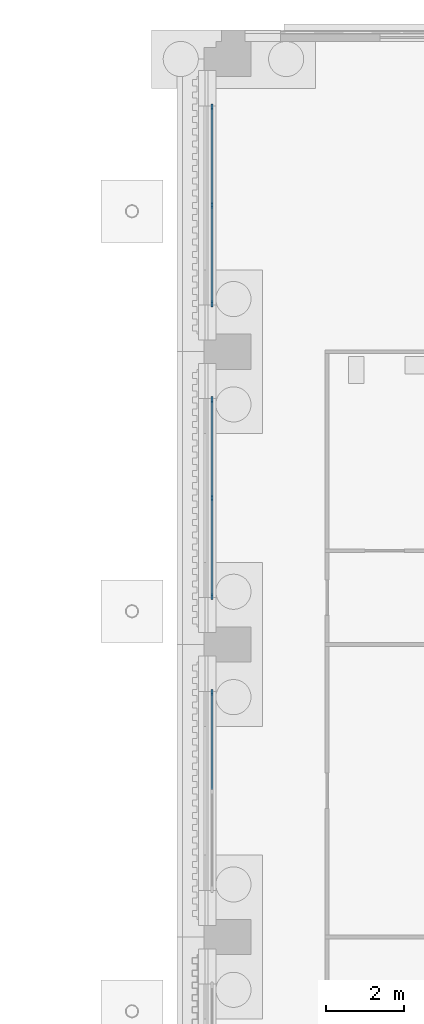
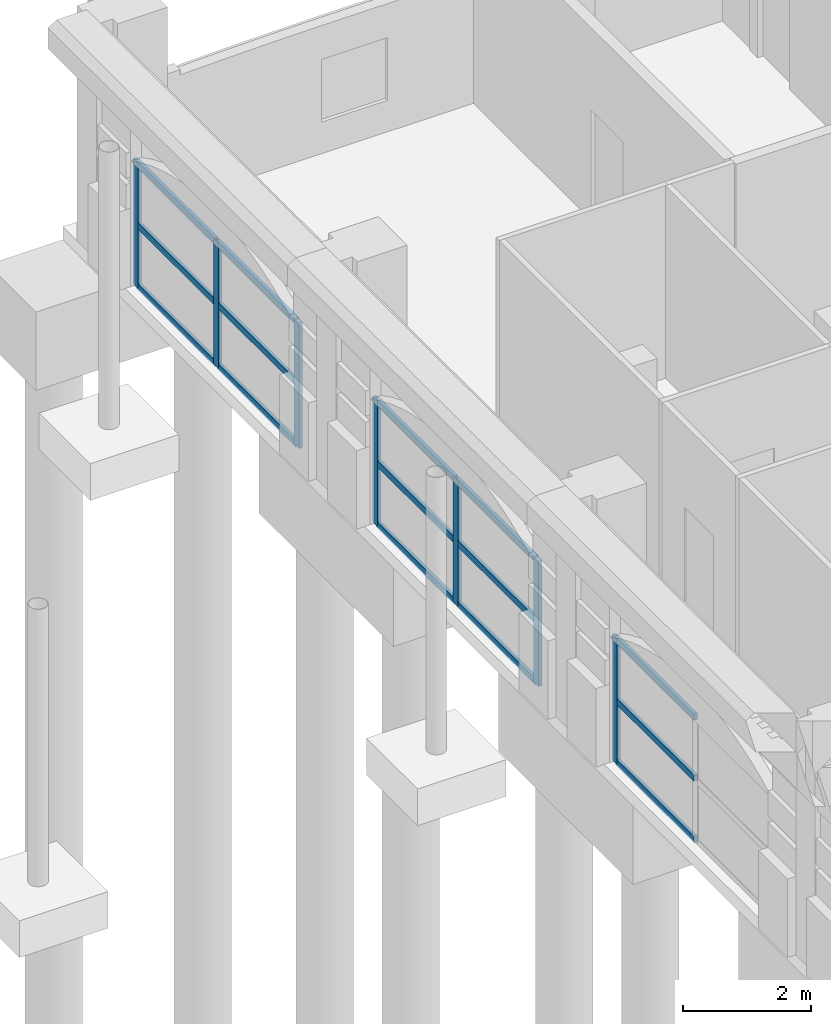
# One storey, part 28 of 99: 22 members, 3 elements without a shape of their own.
"""IFC4 building model written with IfcOpenShell, lengths in metres."""

from ifc_helpers import new_model, si_unit, direction, frame, origin, origin_2d, place, context, subcontext, project, spatial, rectangle, extrude, material, layer, layer_set, material_profile, profile_set, type_object, element, aggregate, save


model = new_model("IFC4")

# Units and contexts
model_context = context("Model", 3, precision=1e-05, world=origin(), true_north=direction((0.0, 1.0)))
body_context = subcontext(model_context, "Body", "Model", "MODEL_VIEW")
ifc_project = project(units=[si_unit("LENGTHUNIT", "METRE"), si_unit("AREAUNIT", "SQUARE_METRE"), si_unit("VOLUMEUNIT", "CUBIC_METRE"), si_unit("PLANEANGLEUNIT", "RADIAN"), si_unit("MASSUNIT", "GRAM", prefix="KILO")], contexts=[model_context])

# Site, building, storey
site_placement = place(None, origin())
site = spatial("IfcSite", under=ifc_project, at=site_placement, CompositionType="ELEMENT")
building_placement = place(site_placement, origin())
building = spatial("IfcBuilding", under=site, at=building_placement, Name="Cour d'Honneur Mobility Palace", CompositionType="ELEMENT")
storey_placement = place(building_placement, origin())
storey = spatial("IfcBuildingStorey", under=building, at=storey_placement, Name="L00", CompositionType="ELEMENT", Elevation=0.0)

# Curtain wall, members
ifc_material_1 = material(Name="Aluminium and glass", Category="aluminium")
ifc_layer = layer(ifc_material_1, 0.10009765625)
ifc_layer_set = layer_set([ifc_layer], Name="Aluminium and glass")
curtain_wall_type = type_object("IfcCurtainWallType", Name="Curtain wall run", PredefinedType="NOTDEFINED", material=ifc_layer_set)
curtain_wall_1_placement = place(storey_placement, origin())
curtain_wall_1 = element("IfcCurtainWall", 1, at=curtain_wall_1_placement, inside=storey, type_object=curtain_wall_type, Name="Curtain wall CW-1", PredefinedType="NOTDEFINED")
ifc_material_2 = material(Name="Aluminium", Category="aluminium")
ifc_material_profile_1 = material_profile(ifc_material_2, rectangle(XDim=0.06005859375, YDim=0.159912109375, at=origin_2d()), Name="Curtain wall mullion")
ifc_profile_set_1 = profile_set([ifc_material_profile_1], Name="Aluminium")
member_type_1 = type_object("IfcMemberType", Name="Curtain wall mullion", PredefinedType="MULLION", material=ifc_profile_set_1)
member_1_placement = place(storey_placement, frame((144.35009765625, 113.669921875, 0.0), z_axis=(0.0, 0.0, 1.0), x_axis=(1.0, 0.0, 0.0)))
member_1 = element("IfcMember", 2, at=member_1_placement, type_object=member_type_1, Name="CW-1 mullion 1", PredefinedType="MULLION", context=body_context, shape_type="SweptSolid", body=[
    extrude(rectangle(XDim=0.06005859375, YDim=0.159912109375, at=origin_2d()), origin(), (0.0, 0.0, 1.0), 2.39990234375),
])
member_2_placement = place(storey_placement, frame((144.35009765625, 111.14990234375, 0.0), z_axis=(0.0, 0.0, 1.0), x_axis=(1.0, 0.0, 0.0)))
member_2 = element("IfcMember", 3, at=member_2_placement, type_object=member_type_1, Name="CW-1 mullion 2", PredefinedType="MULLION", context=body_context, shape_type="SweptSolid", body=[
    extrude(rectangle(XDim=0.06005859375, YDim=0.159912109375, at=origin_2d()), origin(), (0.0, 0.0, 1.0), 2.39990234375),
])
member_3_placement = place(storey_placement, frame((144.35009765625, 108.6298828125, 0.0), z_axis=(0.0, 0.0, 1.0), x_axis=(1.0, 0.0, 0.0)))
member_3 = element("IfcMember", 4, at=member_3_placement, type_object=member_type_1, Name="CW-1 mullion 3", PredefinedType="MULLION", context=body_context, shape_type="SweptSolid", body=[
    extrude(rectangle(XDim=0.06005859375, YDim=0.159912109375, at=origin_2d()), origin(), (0.0, 0.0, 1.0), 2.39990234375),
])

curtain_wall_2_placement = place(storey_placement, origin())
curtain_wall_2 = element("IfcCurtainWall", 5, at=curtain_wall_2_placement, inside=storey, type_object=curtain_wall_type, Name="Curtain wall CW-2", PredefinedType="NOTDEFINED")
member_4_placement = place(storey_placement, frame((144.35009765625, 106.169921875, 0.0), z_axis=(0.0, 0.0, 1.0), x_axis=(1.0, 0.0, 0.0)))
member_4 = element("IfcMember", 6, at=member_4_placement, type_object=member_type_1, Name="CW-2 mullion 1", PredefinedType="MULLION", context=body_context, shape_type="SweptSolid", body=[
    extrude(rectangle(XDim=0.06005859375, YDim=0.159912109375, at=origin_2d()), origin(), (0.0, 0.0, 1.0), 2.39990234375),
])
member_5_placement = place(storey_placement, frame((144.35009765625, 103.64990234375, 0.0), z_axis=(0.0, 0.0, 1.0), x_axis=(1.0, 0.0, 0.0)))
member_5 = element("IfcMember", 7, at=member_5_placement, type_object=member_type_1, Name="CW-2 mullion 2", PredefinedType="MULLION", context=body_context, shape_type="SweptSolid", body=[
    extrude(rectangle(XDim=0.06005859375, YDim=0.159912109375, at=origin_2d()), origin(), (0.0, 0.0, 1.0), 2.39990234375),
])
member_6_placement = place(storey_placement, frame((144.35009765625, 101.1298828125, 0.0), z_axis=(0.0, 0.0, 1.0), x_axis=(1.0, 0.0, 0.0)))
member_6 = element("IfcMember", 8, at=member_6_placement, type_object=member_type_1, Name="CW-2 mullion 3", PredefinedType="MULLION", context=body_context, shape_type="SweptSolid", body=[
    extrude(rectangle(XDim=0.06005859375, YDim=0.159912109375, at=origin_2d()), origin(), (0.0, 0.0, 1.0), 2.39990234375),
])

# Curtain wall, member
curtain_wall_3_placement = place(storey_placement, origin())
curtain_wall_3 = element("IfcCurtainWall", 9, at=curtain_wall_3_placement, inside=storey, type_object=curtain_wall_type, Name="Curtain wall CW-3", PredefinedType="NOTDEFINED")
member_7_placement = place(storey_placement, frame((144.35009765625, 98.669921875, 0.0), z_axis=(0.0, 0.0, 1.0), x_axis=(1.0, 0.0, 0.0)))
member_7 = element("IfcMember", 10, at=member_7_placement, type_object=member_type_1, Name="CW-3 mullion 1", PredefinedType="MULLION", context=body_context, shape_type="SweptSolid", body=[
    extrude(rectangle(XDim=0.06005859375, YDim=0.159912109375, at=origin_2d()), origin(), (0.0, 0.0, 1.0), 2.39990234375),
])

# Member
ifc_material_3 = material(Name="Aluminium", Category="aluminium")
ifc_material_profile_2 = material_profile(ifc_material_3, rectangle(XDim=0.06005859375, YDim=0.1201171875, at=origin_2d()), Name="Curtain wall transom")
ifc_profile_set_2 = profile_set([ifc_material_profile_2], Name="Aluminium")
member_type_2 = type_object("IfcMemberType", Name="Curtain wall transom", PredefinedType="USERDEFINED", material=ifc_profile_set_2)
member_8_placement = place(storey_placement, frame((144.35009765625, 113.639892578125, 0.030029296875), z_axis=(0.0, -1.0, 0.0), x_axis=(1.0, 0.0, 0.0)))
member_8 = element("IfcMember", 11, at=member_8_placement, type_object=member_type_2, Name="CW-1 transom 1.1", ObjectType="TRANSOM", PredefinedType="USERDEFINED", context=body_context, shape_type="SweptSolid", body=[
    extrude(rectangle(XDim=0.06005859375, YDim=0.1201171875, at=origin_2d()), origin(), (0.0, 0.0, 1.0), 2.4599609375),
])

member_9_placement = place(storey_placement, frame((144.35009765625, 113.639892578125, 1.199951171875), z_axis=(0.0, -1.0, 0.0), x_axis=(1.0, 0.0, 0.0)))
member_9 = element("IfcMember", 12, at=member_9_placement, type_object=member_type_2, Name="CW-1 transom 1.2", ObjectType="TRANSOM", PredefinedType="USERDEFINED", context=body_context, shape_type="SweptSolid", body=[
    extrude(rectangle(XDim=0.06005859375, YDim=0.1201171875, at=origin_2d()), origin(), (0.0, 0.0, 1.0), 2.4599609375),
])

member_10_placement = place(storey_placement, frame((144.35009765625, 113.639892578125, 2.3701171875), z_axis=(0.0, -1.0, 0.0), x_axis=(1.0, 0.0, 0.0)))
member_10 = element("IfcMember", 13, at=member_10_placement, type_object=member_type_2, Name="CW-1 transom 1.3", ObjectType="TRANSOM", PredefinedType="USERDEFINED", context=body_context, shape_type="SweptSolid", body=[
    extrude(rectangle(XDim=0.06005859375, YDim=0.1201171875, at=origin_2d()), origin(), (0.0, 0.0, 1.0), 2.4599609375),
])

member_11_placement = place(storey_placement, frame((144.35009765625, 111.1201171875, 0.030029296875), z_axis=(0.0, -1.0, 0.0), x_axis=(1.0, 0.0, 0.0)))
member_11 = element("IfcMember", 14, at=member_11_placement, type_object=member_type_2, Name="CW-1 transom 2.1", ObjectType="TRANSOM", PredefinedType="USERDEFINED", context=body_context, shape_type="SweptSolid", body=[
    extrude(rectangle(XDim=0.06005859375, YDim=0.1201171875, at=origin_2d()), origin(), (0.0, 0.0, 1.0), 2.460205078125),
])

member_12_placement = place(storey_placement, frame((144.35009765625, 111.1201171875, 1.199951171875), z_axis=(0.0, -1.0, 0.0), x_axis=(1.0, 0.0, 0.0)))
member_12 = element("IfcMember", 15, at=member_12_placement, type_object=member_type_2, Name="CW-1 transom 2.2", ObjectType="TRANSOM", PredefinedType="USERDEFINED", context=body_context, shape_type="SweptSolid", body=[
    extrude(rectangle(XDim=0.06005859375, YDim=0.1201171875, at=origin_2d()), origin(), (0.0, 0.0, 1.0), 2.460205078125),
])

member_13_placement = place(storey_placement, frame((144.35009765625, 111.1201171875, 2.3701171875), z_axis=(0.0, -1.0, 0.0), x_axis=(1.0, 0.0, 0.0)))
member_13 = element("IfcMember", 16, at=member_13_placement, type_object=member_type_2, Name="CW-1 transom 2.3", ObjectType="TRANSOM", PredefinedType="USERDEFINED", context=body_context, shape_type="SweptSolid", body=[
    extrude(rectangle(XDim=0.06005859375, YDim=0.1201171875, at=origin_2d()), origin(), (0.0, 0.0, 1.0), 2.460205078125),
])

aggregate(curtain_wall_1, [member_1, member_2, member_3, member_8, member_9, member_10, member_11, member_12, member_13])

member_14_placement = place(storey_placement, frame((144.35009765625, 106.139892578125, 0.030029296875), z_axis=(0.0, -1.0, 0.0), x_axis=(1.0, 0.0, 0.0)))
member_14 = element("IfcMember", 17, at=member_14_placement, type_object=member_type_2, Name="CW-2 transom 1.1", ObjectType="TRANSOM", PredefinedType="USERDEFINED", context=body_context, shape_type="SweptSolid", body=[
    extrude(rectangle(XDim=0.06005859375, YDim=0.1201171875, at=origin_2d()), origin(), (0.0, 0.0, 1.0), 2.4599609375),
])

member_15_placement = place(storey_placement, frame((144.35009765625, 106.139892578125, 1.199951171875), z_axis=(0.0, -1.0, 0.0), x_axis=(1.0, 0.0, 0.0)))
member_15 = element("IfcMember", 18, at=member_15_placement, type_object=member_type_2, Name="CW-2 transom 1.2", ObjectType="TRANSOM", PredefinedType="USERDEFINED", context=body_context, shape_type="SweptSolid", body=[
    extrude(rectangle(XDim=0.06005859375, YDim=0.1201171875, at=origin_2d()), origin(), (0.0, 0.0, 1.0), 2.4599609375),
])

member_16_placement = place(storey_placement, frame((144.35009765625, 106.139892578125, 2.3701171875), z_axis=(0.0, -1.0, 0.0), x_axis=(1.0, 0.0, 0.0)))
member_16 = element("IfcMember", 19, at=member_16_placement, type_object=member_type_2, Name="CW-2 transom 1.3", ObjectType="TRANSOM", PredefinedType="USERDEFINED", context=body_context, shape_type="SweptSolid", body=[
    extrude(rectangle(XDim=0.06005859375, YDim=0.1201171875, at=origin_2d()), origin(), (0.0, 0.0, 1.0), 2.4599609375),
])

member_17_placement = place(storey_placement, frame((144.35009765625, 103.6201171875, 0.030029296875), z_axis=(0.0, -1.0, 0.0), x_axis=(1.0, 0.0, 0.0)))
member_17 = element("IfcMember", 20, at=member_17_placement, type_object=member_type_2, Name="CW-2 transom 2.1", ObjectType="TRANSOM", PredefinedType="USERDEFINED", context=body_context, shape_type="SweptSolid", body=[
    extrude(rectangle(XDim=0.06005859375, YDim=0.1201171875, at=origin_2d()), origin(), (0.0, 0.0, 1.0), 2.460205078125),
])

member_18_placement = place(storey_placement, frame((144.35009765625, 103.6201171875, 1.199951171875), z_axis=(0.0, -1.0, 0.0), x_axis=(1.0, 0.0, 0.0)))
member_18 = element("IfcMember", 21, at=member_18_placement, type_object=member_type_2, Name="CW-2 transom 2.2", ObjectType="TRANSOM", PredefinedType="USERDEFINED", context=body_context, shape_type="SweptSolid", body=[
    extrude(rectangle(XDim=0.06005859375, YDim=0.1201171875, at=origin_2d()), origin(), (0.0, 0.0, 1.0), 2.460205078125),
])

member_19_placement = place(storey_placement, frame((144.35009765625, 103.6201171875, 2.3701171875), z_axis=(0.0, -1.0, 0.0), x_axis=(1.0, 0.0, 0.0)))
member_19 = element("IfcMember", 22, at=member_19_placement, type_object=member_type_2, Name="CW-2 transom 2.3", ObjectType="TRANSOM", PredefinedType="USERDEFINED", context=body_context, shape_type="SweptSolid", body=[
    extrude(rectangle(XDim=0.06005859375, YDim=0.1201171875, at=origin_2d()), origin(), (0.0, 0.0, 1.0), 2.460205078125),
])

aggregate(curtain_wall_2, [member_4, member_5, member_6, member_14, member_15, member_16, member_17, member_18, member_19])

member_20_placement = place(storey_placement, frame((144.35009765625, 98.639892578125, 0.030029296875), z_axis=(0.0, -1.0, 0.0), x_axis=(1.0, 0.0, 0.0)))
member_20 = element("IfcMember", 23, at=member_20_placement, type_object=member_type_2, Name="CW-3 transom 1.1", ObjectType="TRANSOM", PredefinedType="USERDEFINED", context=body_context, shape_type="SweptSolid", body=[
    extrude(rectangle(XDim=0.06005859375, YDim=0.1201171875, at=origin_2d()), origin(), (0.0, 0.0, 1.0), 2.4599609375),
])

member_21_placement = place(storey_placement, frame((144.35009765625, 98.639892578125, 1.199951171875), z_axis=(0.0, -1.0, 0.0), x_axis=(1.0, 0.0, 0.0)))
member_21 = element("IfcMember", 24, at=member_21_placement, type_object=member_type_2, Name="CW-3 transom 1.2", ObjectType="TRANSOM", PredefinedType="USERDEFINED", context=body_context, shape_type="SweptSolid", body=[
    extrude(rectangle(XDim=0.06005859375, YDim=0.1201171875, at=origin_2d()), origin(), (0.0, 0.0, 1.0), 2.4599609375),
])

member_22_placement = place(storey_placement, frame((144.35009765625, 98.639892578125, 2.3701171875), z_axis=(0.0, -1.0, 0.0), x_axis=(1.0, 0.0, 0.0)))
member_22 = element("IfcMember", 25, at=member_22_placement, type_object=member_type_2, Name="CW-3 transom 1.3", ObjectType="TRANSOM", PredefinedType="USERDEFINED", context=body_context, shape_type="SweptSolid", body=[
    extrude(rectangle(XDim=0.06005859375, YDim=0.1201171875, at=origin_2d()), origin(), (0.0, 0.0, 1.0), 2.4599609375),
])

aggregate(curtain_wall_3, [member_7, member_20, member_21, member_22])

save(model, "model.ifc")
